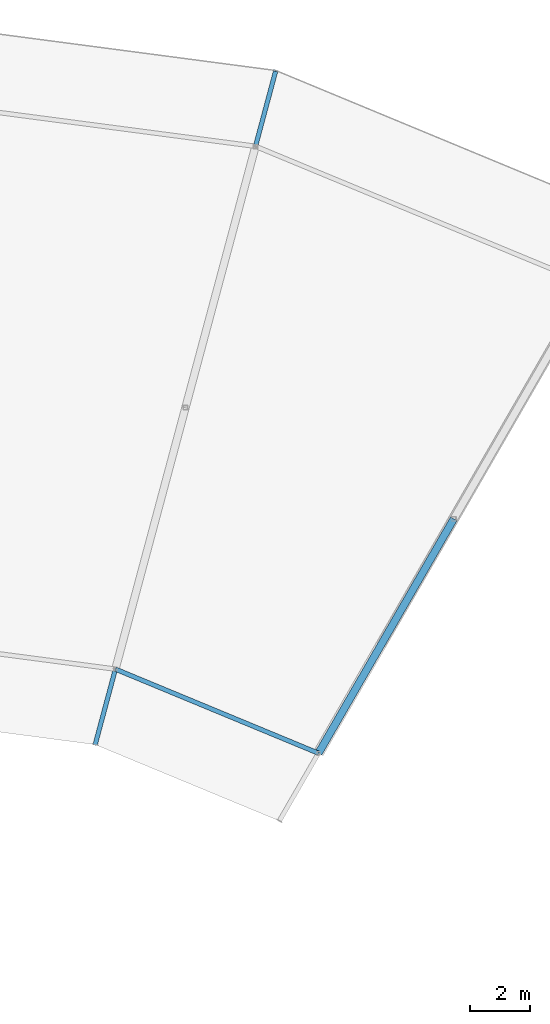
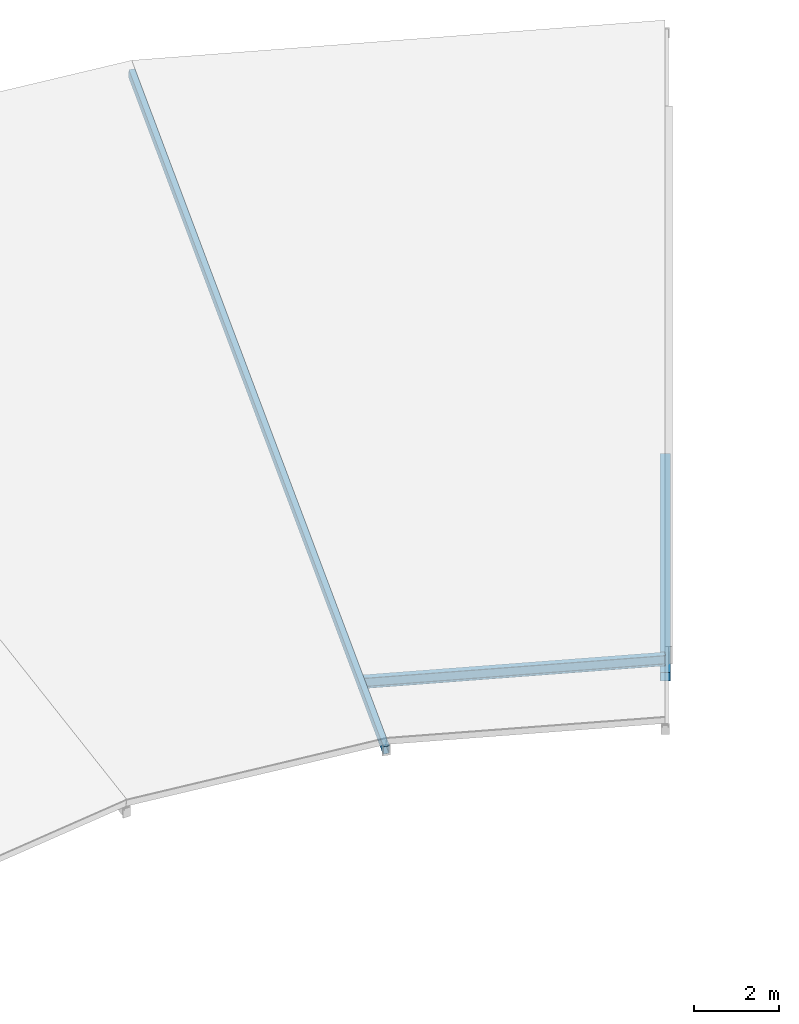
# One storey, part 23 of 70: 2 members, 1 beam.
"""IFC4 building model written with IfcOpenShell, lengths in metres."""

from ifc_helpers import new_model, si_unit, direction, frame, origin, origin_2d, place, context, subcontext, project, spatial, hollow_rectangle, i_section, extrude, material, material_profile, profile_set, type_object, element, save


model = new_model("IFC4")

# Units and contexts
model_context = context("Model", 3, precision=1e-05, world=origin(), true_north=direction((0.0, 1.0)))
body_context = subcontext(model_context, "Body", "Model", "MODEL_VIEW")
ifc_project = project(units=[si_unit("LENGTHUNIT", "METRE"), si_unit("AREAUNIT", "SQUARE_METRE"), si_unit("VOLUMEUNIT", "CUBIC_METRE"), si_unit("PLANEANGLEUNIT", "RADIAN"), si_unit("MASSUNIT", "GRAM", prefix="KILO")], contexts=[model_context])

# Site, building, storey
site_placement = place(None, origin())
site = spatial("IfcSite", under=ifc_project, at=site_placement, CompositionType="ELEMENT")
building_placement = place(site_placement, origin())
building = spatial("IfcBuilding", under=site, at=building_placement, Name="Vondelvale Polytechnic", CompositionType="ELEMENT")
storey_placement = place(building_placement, frame((0.0, 0.0, 22.199951171875)))
storey = spatial("IfcBuildingStorey", under=building, at=storey_placement, Name="L05", CompositionType="ELEMENT", Elevation=22.199951171875)

# Beam
ifc_material_1 = material(Name="Steel 300PLUS (fy = 300 MPa)", Category="steel")
ifc_material_profile_1 = material_profile(ifc_material_1, i_section(OverallWidth=0.14892578125, OverallDepth=0.298095703125, WebThickness=0.005615234375, FlangeThickness=0.008056640625, FilletRadius=0.011474609375, at=origin_2d()), Name="310UB32.0")
ifc_profile_set_1 = profile_set([ifc_material_profile_1], Name="Steel 300PLUS (fy = 300 MPa)")
beam_type = type_object("IfcBeamType", Name="BM-UB310L", PredefinedType="BEAM", material=ifc_profile_set_1)
beam_placement = place(storey_placement, frame((116.0, 96.248779296875, 0.16259765625), z_axis=(-0.923886161226, 0.382667428841, 0.0), x_axis=(-0.382667428841, -0.923886161226, 0.0)))
element("IfcBeam", 1, at=beam_placement, inside=storey, type_object=beam_type, Name="L05 RE B-25", PredefinedType="BEAM", context=body_context, shape_type="SweptSolid", body=[
    extrude(i_section(OverallWidth=0.14892578125, OverallDepth=0.298095703125, WebThickness=0.005615234375, FlangeThickness=0.008056640625, FilletRadius=0.011474609375, at=origin_2d()), origin(), (0.0, 0.0, 1.0), 7.3095703125),
])

# Members
ifc_material_2 = material(Name="Steel C350L0 (fy = 350 MPa)", Category="steel")
ifc_material_profile_2 = material_profile(ifc_material_2, hollow_rectangle(XDim=0.14990234375, YDim=0.25, WallThickness=0.006103515625, at=origin_2d()), Name="250x150x6.0RHS")
ifc_profile_set_2 = profile_set([ifc_material_profile_2], Name="Steel C350L0 (fy = 350 MPa)")
member_type_1 = type_object("IfcMemberType", Name="RAFTER RHS250", PredefinedType="RAFTER", material=ifc_profile_set_2)
member_1_placement = place(storey_placement, frame((114.57861328125, 118.944091796875, 3.765869140625), z_axis=(-0.255414977301, -0.953223857145, -0.161639931762), x_axis=(0.965925974596, -0.258818491613, 0.0)))
element("IfcMember", 2, at=member_1_placement, inside=storey, type_object=member_type_1, Name="Ring inward-sloping rafter 05", PredefinedType="RAFTER", context=body_context, shape_type="SweptSolid", body=[
    extrude(hollow_rectangle(XDim=0.14990234375, YDim=0.25, WallThickness=0.006103515625, at=origin_2d()), origin(), (0.0, 0.0, 1.0), 23.50927734375),
])
ifc_material_profile_3 = material_profile(ifc_material_2, hollow_rectangle(XDim=0.25, YDim=0.25, WallThickness=0.009033203125, at=origin_2d()), Name="250x250x9.0SHS")
ifc_profile_set_3 = profile_set([ifc_material_profile_3], Name="Steel C350L0 (fy = 350 MPa)")
member_type_2 = type_object("IfcMemberType", Name="ROOF TRUSS CHORD 250SHS", PredefinedType="CHORD", material=ifc_profile_set_3)
member_2_placement = place(storey_placement, frame((116.0, 96.248779296875, -0.349853515625), z_axis=(0.5000018851, 0.866024315419, 0.0), x_axis=(-0.866024315419, 0.5000018851, 0.0)))
element("IfcMember", 3, at=member_2_placement, inside=storey, type_object=member_type_2, Name="Ring workshop truss chord 04A", PredefinedType="CHORD", context=body_context, shape_type="SweptSolid", body=[
    extrude(hollow_rectangle(XDim=0.25, YDim=0.25, WallThickness=0.009033203125, at=origin_2d()), origin(), (0.0, 0.0, 1.0), 9.0),
])

save(model, "model.ifc")
